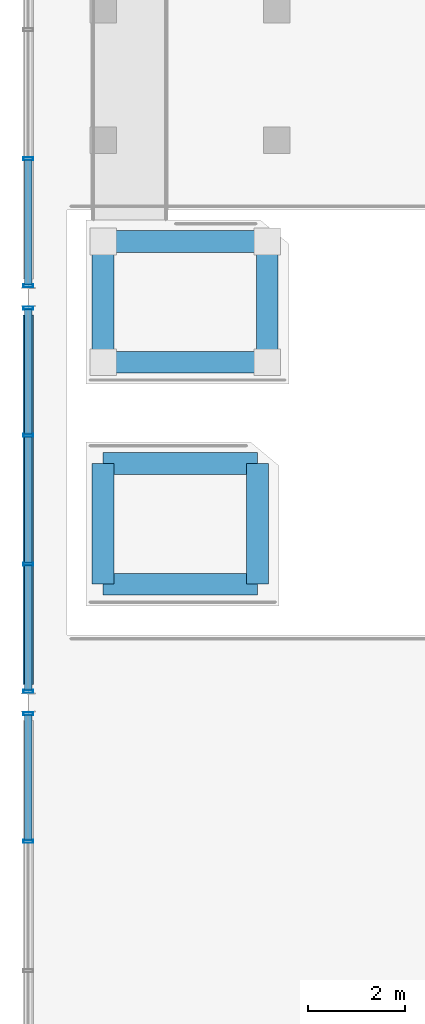
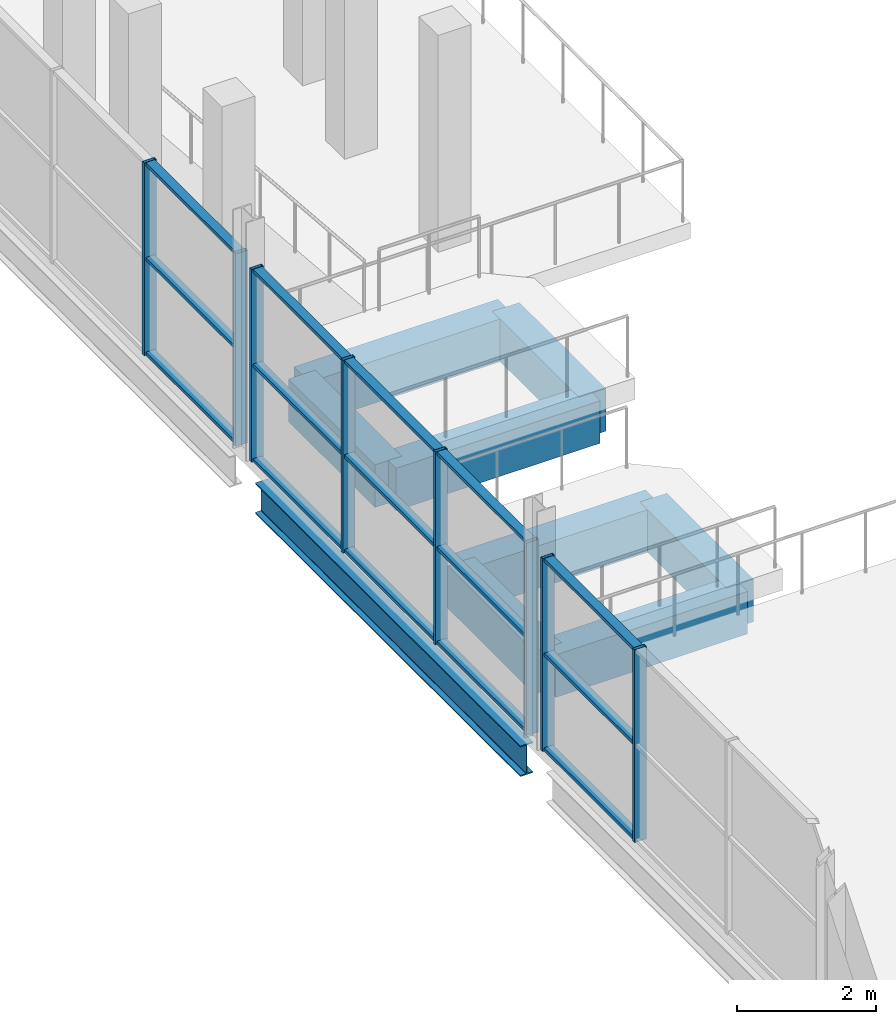
# One storey, part 28 of 161: 23 members, 9 beams, 3 elements without a shape of their own.
"""IFC4 building model written with IfcOpenShell, lengths in metres."""

from ifc_helpers import new_model, si_unit, direction, frame, origin, origin_2d, place, context, subcontext, project, spatial, rectangle, hollow_rectangle, i_section, extrude, material, material_profile, profile_set, type_object, element, aggregate, save


model = new_model("IFC4")

# Units and contexts
model_context = context("Model", 3, precision=1e-05, world=origin(), true_north=direction((0.0, 1.0)))
body_context = subcontext(model_context, "Body", "Model", "MODEL_VIEW")
ifc_project = project(units=[si_unit("LENGTHUNIT", "METRE"), si_unit("AREAUNIT", "SQUARE_METRE"), si_unit("VOLUMEUNIT", "CUBIC_METRE"), si_unit("PLANEANGLEUNIT", "RADIAN"), si_unit("MASSUNIT", "GRAM", prefix="KILO"), si_unit("THERMODYNAMICTEMPERATUREUNIT", "KELVIN")], contexts=[model_context])

# Site, building, storey
site_placement = place(None, origin())
site = spatial("IfcSite", under=ifc_project, at=site_placement, CompositionType="ELEMENT")
building_placement = place(site_placement, origin())
building = spatial("IfcBuilding", under=site, at=building_placement, Name="Nduvali Passage Aquatics Centre", CompositionType="ELEMENT")
storey_placement = place(building_placement, frame((0.0, 0.0, 4.800048828125)))
storey = spatial("IfcBuildingStorey", under=building, at=storey_placement, Name="L01", CompositionType="ELEMENT", Elevation=4.800048828125)

# Curtain wall, members
ifc_material_1 = material(Name="Aluminium EN AW-6063 T6", Category="aluminium")
curtain_wall_type = type_object("IfcCurtainWallType", Name="ENV-CW-DIVE", PredefinedType="NOTDEFINED", material=ifc_material_1)
curtain_wall_1_placement = place(storey_placement, origin())
curtain_wall_1 = element("IfcCurtainWall", 1, at=curtain_wall_1_placement, inside=storey, type_object=curtain_wall_type, Name="L01 West Diving Tower Viewing CW 128", PredefinedType="NOTDEFINED")
ifc_material_profile_1 = material_profile(ifc_material_1, hollow_rectangle(XDim=0.06005859375, YDim=0.199951171875, WallThickness=0.00390625, at=origin_2d()), Name="ALU MULLION 60x200x4")
ifc_profile_set_1 = profile_set([ifc_material_profile_1], Name="Aluminium EN AW-6063 T6")
member_type_1 = type_object("IfcMemberType", Name="ENV-MEM-MUL80", PredefinedType="MULLION", material=ifc_profile_set_1)
member_1_placement = place(storey_placement, frame((0.0, 47.523193359375, 0.0), z_axis=(0.0, 0.0, 1.0), x_axis=(0.0, 1.0, 0.0)))
member_1 = element("IfcMember", 2, at=member_1_placement, type_object=member_type_1, Name="West Diving Tower Viewing CW Mullion 3", PredefinedType="MULLION", context=body_context, shape_type="SweptSolid", body=[
    extrude(hollow_rectangle(XDim=0.06005859375, YDim=0.199951171875, WallThickness=0.00390625, at=origin_2d()), origin(), (0.0, 0.0, 1.0), 3.396484375),
])
member_2_placement = place(storey_placement, frame((0.0, 50.169921875, 0.0), z_axis=(0.0, 0.0, 1.0), x_axis=(0.0, 1.0, 0.0)))
member_2 = element("IfcMember", 3, at=member_2_placement, type_object=member_type_1, Name="West Diving Tower Viewing CW Mullion 4", PredefinedType="MULLION", context=body_context, shape_type="SweptSolid", body=[
    extrude(hollow_rectangle(XDim=0.06005859375, YDim=0.199951171875, WallThickness=0.00390625, at=origin_2d()), origin(), (0.0, 0.0, 1.0), 3.396484375),
])

curtain_wall_2_placement = place(storey_placement, origin())
curtain_wall_2 = element("IfcCurtainWall", 4, at=curtain_wall_2_placement, inside=storey, type_object=curtain_wall_type, Name="L01 West Diving Tower Viewing CW 133", PredefinedType="NOTDEFINED")
member_3_placement = place(storey_placement, frame((0.0, 50.6298828125, 0.0), z_axis=(0.0, 0.0, 1.0), x_axis=(0.0, 1.0, 0.0)))
member_3 = element("IfcMember", 5, at=member_3_placement, type_object=member_type_1, Name="West Diving Tower Viewing CW Mullion 1", PredefinedType="MULLION", context=body_context, shape_type="SweptSolid", body=[
    extrude(hollow_rectangle(XDim=0.06005859375, YDim=0.199951171875, WallThickness=0.00390625, at=origin_2d()), origin(), (0.0, 0.0, 1.0), 3.396484375),
])
member_4_placement = place(storey_placement, frame((0.0, 53.2666015625, 0.0), z_axis=(0.0, 0.0, 1.0), x_axis=(0.0, 1.0, 0.0)))
member_4 = element("IfcMember", 6, at=member_4_placement, type_object=member_type_1, Name="West Diving Tower Viewing CW Mullion 2", PredefinedType="MULLION", context=body_context, shape_type="SweptSolid", body=[
    extrude(hollow_rectangle(XDim=0.06005859375, YDim=0.199951171875, WallThickness=0.00390625, at=origin_2d()), origin(), (0.0, 0.0, 1.0), 3.396484375),
])
member_5_placement = place(storey_placement, frame((0.0, 55.933349609375, 0.0), z_axis=(0.0, 0.0, 1.0), x_axis=(0.0, 1.0, 0.0)))
member_5 = element("IfcMember", 7, at=member_5_placement, type_object=member_type_1, Name="West Diving Tower Viewing CW Mullion 3", PredefinedType="MULLION", context=body_context, shape_type="SweptSolid", body=[
    extrude(hollow_rectangle(XDim=0.06005859375, YDim=0.199951171875, WallThickness=0.00390625, at=origin_2d()), origin(), (0.0, 0.0, 1.0), 3.396484375),
])
member_6_placement = place(storey_placement, frame((0.0, 58.570068359375, 0.0), z_axis=(0.0, 0.0, 1.0), x_axis=(0.0, 1.0, 0.0)))
member_6 = element("IfcMember", 8, at=member_6_placement, type_object=member_type_1, Name="West Diving Tower Viewing CW Mullion 4", PredefinedType="MULLION", context=body_context, shape_type="SweptSolid", body=[
    extrude(hollow_rectangle(XDim=0.06005859375, YDim=0.199951171875, WallThickness=0.00390625, at=origin_2d()), origin(), (0.0, 0.0, 1.0), 3.396484375),
])

curtain_wall_3_placement = place(storey_placement, origin())
curtain_wall_3 = element("IfcCurtainWall", 9, at=curtain_wall_3_placement, inside=storey, type_object=curtain_wall_type, Name="L01 West Diving Tower Viewing CW 138", PredefinedType="NOTDEFINED")
member_7_placement = place(storey_placement, frame((0.0, 59.030029296875, 0.0), z_axis=(0.0, 0.0, 1.0), x_axis=(0.0, 1.0, 0.0)))
member_7 = element("IfcMember", 10, at=member_7_placement, type_object=member_type_1, Name="West Diving Tower Viewing CW Mullion 1", PredefinedType="MULLION", context=body_context, shape_type="SweptSolid", body=[
    extrude(hollow_rectangle(XDim=0.06005859375, YDim=0.199951171875, WallThickness=0.00390625, at=origin_2d()), origin(), (0.0, 0.0, 1.0), 3.396484375),
])
member_8_placement = place(storey_placement, frame((0.0, 61.666748046875, 0.0), z_axis=(0.0, 0.0, 1.0), x_axis=(0.0, 1.0, 0.0)))
member_8 = element("IfcMember", 11, at=member_8_placement, type_object=member_type_1, Name="West Diving Tower Viewing CW Mullion 2", PredefinedType="MULLION", context=body_context, shape_type="SweptSolid", body=[
    extrude(hollow_rectangle(XDim=0.06005859375, YDim=0.199951171875, WallThickness=0.00390625, at=origin_2d()), origin(), (0.0, 0.0, 1.0), 3.396484375),
])

# Member
ifc_material_profile_2 = material_profile(ifc_material_1, hollow_rectangle(XDim=0.14990234375, YDim=0.06005859375, WallThickness=0.00390625, at=origin_2d()), Name="ALU TRANSOM 150x60x4")
ifc_profile_set_2 = profile_set([ifc_material_profile_2], Name="Aluminium EN AW-6063 T6")
member_type_2 = type_object("IfcMemberType", Name="ENV-MEM-TRN80", PredefinedType="USERDEFINED", material=ifc_profile_set_2)
member_9_placement = place(storey_placement, frame((0.0, 47.55322265625, 0.030029296875), z_axis=(0.0, 1.0, 0.0), x_axis=(-1.0, 0.0, 0.0)))
member_9 = element("IfcMember", 12, at=member_9_placement, type_object=member_type_2, Name="West Diving Tower Viewing CW Transom B3-R0", ObjectType="TRANSOM", PredefinedType="USERDEFINED", context=body_context, shape_type="SweptSolid", body=[
    extrude(hollow_rectangle(XDim=0.14990234375, YDim=0.06005859375, WallThickness=0.00390625, at=origin_2d()), origin(), (0.0, 0.0, 1.0), 2.586669921875),
])

member_10_placement = place(storey_placement, frame((0.0, 47.55322265625, 1.6982421875), z_axis=(0.0, 1.0, 0.0), x_axis=(-1.0, 0.0, 0.0)))
member_10 = element("IfcMember", 13, at=member_10_placement, type_object=member_type_2, Name="West Diving Tower Viewing CW Transom B3-R1", ObjectType="TRANSOM", PredefinedType="USERDEFINED", context=body_context, shape_type="SweptSolid", body=[
    extrude(hollow_rectangle(XDim=0.14990234375, YDim=0.06005859375, WallThickness=0.00390625, at=origin_2d()), origin(), (0.0, 0.0, 1.0), 2.586669921875),
])

member_11_placement = place(storey_placement, frame((0.0, 47.55322265625, 3.366455078125), z_axis=(0.0, 1.0, 0.0), x_axis=(-1.0, 0.0, 0.0)))
member_11 = element("IfcMember", 14, at=member_11_placement, type_object=member_type_2, Name="West Diving Tower Viewing CW Transom B3-R2", ObjectType="TRANSOM", PredefinedType="USERDEFINED", context=body_context, shape_type="SweptSolid", body=[
    extrude(hollow_rectangle(XDim=0.14990234375, YDim=0.06005859375, WallThickness=0.00390625, at=origin_2d()), origin(), (0.0, 0.0, 1.0), 2.586669921875),
])

aggregate(curtain_wall_1, [member_1, member_2, member_9, member_10, member_11])

member_12_placement = place(storey_placement, frame((0.0, 50.659912109375, 0.030029296875), z_axis=(0.0, 1.0, 0.0), x_axis=(-1.0, 0.0, 0.0)))
member_12 = element("IfcMember", 15, at=member_12_placement, type_object=member_type_2, Name="West Diving Tower Viewing CW Transom B1-R0", ObjectType="TRANSOM", PredefinedType="USERDEFINED", context=body_context, shape_type="SweptSolid", body=[
    extrude(hollow_rectangle(XDim=0.14990234375, YDim=0.06005859375, WallThickness=0.00390625, at=origin_2d()), origin(), (0.0, 0.0, 1.0), 2.576904296875),
])

member_13_placement = place(storey_placement, frame((0.0, 50.659912109375, 1.6982421875), z_axis=(0.0, 1.0, 0.0), x_axis=(-1.0, 0.0, 0.0)))
member_13 = element("IfcMember", 16, at=member_13_placement, type_object=member_type_2, Name="West Diving Tower Viewing CW Transom B1-R1", ObjectType="TRANSOM", PredefinedType="USERDEFINED", context=body_context, shape_type="SweptSolid", body=[
    extrude(hollow_rectangle(XDim=0.14990234375, YDim=0.06005859375, WallThickness=0.00390625, at=origin_2d()), origin(), (0.0, 0.0, 1.0), 2.576904296875),
])

member_14_placement = place(storey_placement, frame((0.0, 50.659912109375, 3.366455078125), z_axis=(0.0, 1.0, 0.0), x_axis=(-1.0, 0.0, 0.0)))
member_14 = element("IfcMember", 17, at=member_14_placement, type_object=member_type_2, Name="West Diving Tower Viewing CW Transom B1-R2", ObjectType="TRANSOM", PredefinedType="USERDEFINED", context=body_context, shape_type="SweptSolid", body=[
    extrude(hollow_rectangle(XDim=0.14990234375, YDim=0.06005859375, WallThickness=0.00390625, at=origin_2d()), origin(), (0.0, 0.0, 1.0), 2.576904296875),
])

member_15_placement = place(storey_placement, frame((0.0, 53.296630859375, 0.030029296875), z_axis=(0.0, 1.0, 0.0), x_axis=(-1.0, 0.0, 0.0)))
member_15 = element("IfcMember", 18, at=member_15_placement, type_object=member_type_2, Name="West Diving Tower Viewing CW Transom B2-R0", ObjectType="TRANSOM", PredefinedType="USERDEFINED", context=body_context, shape_type="SweptSolid", body=[
    extrude(hollow_rectangle(XDim=0.14990234375, YDim=0.06005859375, WallThickness=0.00390625, at=origin_2d()), origin(), (0.0, 0.0, 1.0), 2.606689453125),
])

member_16_placement = place(storey_placement, frame((0.0, 53.296630859375, 1.6982421875), z_axis=(0.0, 1.0, 0.0), x_axis=(-1.0, 0.0, 0.0)))
member_16 = element("IfcMember", 19, at=member_16_placement, type_object=member_type_2, Name="West Diving Tower Viewing CW Transom B2-R1", ObjectType="TRANSOM", PredefinedType="USERDEFINED", context=body_context, shape_type="SweptSolid", body=[
    extrude(hollow_rectangle(XDim=0.14990234375, YDim=0.06005859375, WallThickness=0.00390625, at=origin_2d()), origin(), (0.0, 0.0, 1.0), 2.606689453125),
])

member_17_placement = place(storey_placement, frame((0.0, 53.296630859375, 3.366455078125), z_axis=(0.0, 1.0, 0.0), x_axis=(-1.0, 0.0, 0.0)))
member_17 = element("IfcMember", 20, at=member_17_placement, type_object=member_type_2, Name="West Diving Tower Viewing CW Transom B2-R2", ObjectType="TRANSOM", PredefinedType="USERDEFINED", context=body_context, shape_type="SweptSolid", body=[
    extrude(hollow_rectangle(XDim=0.14990234375, YDim=0.06005859375, WallThickness=0.00390625, at=origin_2d()), origin(), (0.0, 0.0, 1.0), 2.606689453125),
])

member_18_placement = place(storey_placement, frame((0.0, 55.96337890625, 0.030029296875), z_axis=(0.0, 1.0, 0.0), x_axis=(-1.0, 0.0, 0.0)))
member_18 = element("IfcMember", 21, at=member_18_placement, type_object=member_type_2, Name="West Diving Tower Viewing CW Transom B3-R0", ObjectType="TRANSOM", PredefinedType="USERDEFINED", context=body_context, shape_type="SweptSolid", body=[
    extrude(hollow_rectangle(XDim=0.14990234375, YDim=0.06005859375, WallThickness=0.00390625, at=origin_2d()), origin(), (0.0, 0.0, 1.0), 2.57666015625),
])

member_19_placement = place(storey_placement, frame((0.0, 55.96337890625, 1.6982421875), z_axis=(0.0, 1.0, 0.0), x_axis=(-1.0, 0.0, 0.0)))
member_19 = element("IfcMember", 22, at=member_19_placement, type_object=member_type_2, Name="West Diving Tower Viewing CW Transom B3-R1", ObjectType="TRANSOM", PredefinedType="USERDEFINED", context=body_context, shape_type="SweptSolid", body=[
    extrude(hollow_rectangle(XDim=0.14990234375, YDim=0.06005859375, WallThickness=0.00390625, at=origin_2d()), origin(), (0.0, 0.0, 1.0), 2.57666015625),
])

member_20_placement = place(storey_placement, frame((0.0, 55.96337890625, 3.366455078125), z_axis=(0.0, 1.0, 0.0), x_axis=(-1.0, 0.0, 0.0)))
member_20 = element("IfcMember", 23, at=member_20_placement, type_object=member_type_2, Name="West Diving Tower Viewing CW Transom B3-R2", ObjectType="TRANSOM", PredefinedType="USERDEFINED", context=body_context, shape_type="SweptSolid", body=[
    extrude(hollow_rectangle(XDim=0.14990234375, YDim=0.06005859375, WallThickness=0.00390625, at=origin_2d()), origin(), (0.0, 0.0, 1.0), 2.57666015625),
])

aggregate(curtain_wall_2, [member_3, member_4, member_5, member_6, member_12, member_13, member_14, member_15, member_16, member_17, member_18, member_19, member_20])

member_21_placement = place(storey_placement, frame((0.0, 59.06005859375, 0.030029296875), z_axis=(0.0, 1.0, 0.0), x_axis=(-1.0, 0.0, 0.0)))
member_21 = element("IfcMember", 24, at=member_21_placement, type_object=member_type_2, Name="West Diving Tower Viewing CW Transom B1-R0", ObjectType="TRANSOM", PredefinedType="USERDEFINED", context=body_context, shape_type="SweptSolid", body=[
    extrude(hollow_rectangle(XDim=0.14990234375, YDim=0.06005859375, WallThickness=0.00390625, at=origin_2d()), origin(), (0.0, 0.0, 1.0), 2.57666015625),
])

member_22_placement = place(storey_placement, frame((0.0, 59.06005859375, 1.6982421875), z_axis=(0.0, 1.0, 0.0), x_axis=(-1.0, 0.0, 0.0)))
member_22 = element("IfcMember", 25, at=member_22_placement, type_object=member_type_2, Name="West Diving Tower Viewing CW Transom B1-R1", ObjectType="TRANSOM", PredefinedType="USERDEFINED", context=body_context, shape_type="SweptSolid", body=[
    extrude(hollow_rectangle(XDim=0.14990234375, YDim=0.06005859375, WallThickness=0.00390625, at=origin_2d()), origin(), (0.0, 0.0, 1.0), 2.57666015625),
])

member_23_placement = place(storey_placement, frame((0.0, 59.06005859375, 3.366455078125), z_axis=(0.0, 1.0, 0.0), x_axis=(-1.0, 0.0, 0.0)))
member_23 = element("IfcMember", 26, at=member_23_placement, type_object=member_type_2, Name="West Diving Tower Viewing CW Transom B1-R2", ObjectType="TRANSOM", PredefinedType="USERDEFINED", context=body_context, shape_type="SweptSolid", body=[
    extrude(hollow_rectangle(XDim=0.14990234375, YDim=0.06005859375, WallThickness=0.00390625, at=origin_2d()), origin(), (0.0, 0.0, 1.0), 2.57666015625),
])

aggregate(curtain_wall_3, [member_7, member_8, member_21, member_22, member_23])

# Beams
ifc_material_2 = material(Name="Concrete C40/50", Category="concrete")
ifc_material_profile_3 = material_profile(ifc_material_2, rectangle(XDim=0.449951171875, YDim=0.75, at=origin_2d()), Name="RC 450x750")
ifc_profile_set_3 = profile_set([ifc_material_profile_3], Name="Concrete C40/50")
beam_type_1 = type_object("IfcBeamType", Name="STR-BM-RC4575", PredefinedType="BEAM", material=ifc_profile_set_3)
for number, where, z_axis, x_axis, name in (
    (27, (1.550048828125, 52.85009765625, -0.755126953125), (1.0, 0.0, 0.0), (0.0, 1.0, 0.0), "L01 Diving Platform 3M South Beam B3-1623"),
    (28, (1.550048828125, 55.35009765625, -0.755126953125), (1.0, 0.0, 0.0), (0.0, 1.0, 0.0), "L01 Diving Platform 3M North Beam B3-1624"),
):
    element("IfcBeam", number, at=place(storey_placement, frame(where, z_axis=z_axis, x_axis=x_axis)), inside=storey, type_object=beam_type_1, Name=name, PredefinedType="BEAM", context=body_context, shape_type="SweptSolid", body=[
        extrude(rectangle(XDim=0.449951171875, YDim=0.75, at=origin_2d()), origin(), (0.0, 0.0, 1.0), 3.199951171875),
    ])
for number, where, z_axis, x_axis, name in (
    (29, (1.550048828125, 52.85009765625, -0.755126953125), (0.0, 1.0, 0.0), (-1.0, 0.0, 0.0), "L01 Diving Platform 3M West Beam B3-1625"),
    (30, (4.75, 52.85009765625, -0.755126953125), (0.0, 1.0, 0.0), (-1.0, 0.0, 0.0), "L01 Diving Platform 3M East Beam B3-1626"),
):
    element("IfcBeam", number, at=place(storey_placement, frame(where, z_axis=z_axis, x_axis=x_axis)), inside=storey, type_object=beam_type_1, Name=name, PredefinedType="BEAM", context=body_context, shape_type="SweptSolid", body=[
        extrude(rectangle(XDim=0.449951171875, YDim=0.75, at=origin_2d()), origin(), (0.0, 0.0, 1.0), 2.5),
    ])
for number, where, z_axis, x_axis, name in (
    (31, (1.550048828125, 57.449951171875, -0.255126953125), (1.0, 0.0, 0.0), (0.0, 1.0, 0.0), "L01 Diving Platform 5M South Beam B3-1627"),
    (32, (1.550048828125, 59.949951171875, -0.255126953125), (1.0, 0.0, 0.0), (0.0, 1.0, 0.0), "L01 Diving Platform 5M North Beam B3-1628"),
):
    element("IfcBeam", number, at=place(storey_placement, frame(where, z_axis=z_axis, x_axis=x_axis)), inside=storey, type_object=beam_type_1, Name=name, PredefinedType="BEAM", context=body_context, shape_type="SweptSolid", body=[
        extrude(rectangle(XDim=0.449951171875, YDim=0.75, at=origin_2d()), origin(), (0.0, 0.0, 1.0), 3.39990234375),
    ])
for number, where, z_axis, x_axis, name in (
    (33, (1.550048828125, 57.449951171875, -0.255126953125), (0.0, 1.0, 0.0), (-1.0, 0.0, 0.0), "L01 Diving Platform 5M West Beam B3-1629"),
    (34, (4.949951171875, 57.449951171875, -0.255126953125), (0.0, 1.0, 0.0), (-1.0, 0.0, 0.0), "L01 Diving Platform 5M East Beam B3-1630"),
):
    element("IfcBeam", number, at=place(storey_placement, frame(where, z_axis=z_axis, x_axis=x_axis)), inside=storey, type_object=beam_type_1, Name=name, PredefinedType="BEAM", context=body_context, shape_type="SweptSolid", body=[
        extrude(rectangle(XDim=0.449951171875, YDim=0.75, at=origin_2d()), origin(), (0.0, 0.0, 1.0), 2.5),
    ])
ifc_material_3 = material(Name="Steel S355", Category="steel")
ifc_material_profile_4 = material_profile(ifc_material_3, i_section(OverallWidth=0.210693359375, OverallDepth=0.53955078125, WebThickness=0.01171875, FlangeThickness=0.018798828125, FilletRadius=0.0126953125, at=origin_2d()), Name="UKB 533x210x109")
ifc_profile_set_4 = profile_set([ifc_material_profile_4], Name="Steel S355")
beam_type_2 = type_object("IfcBeamType", Name="STR-BM-UKB533-EXT", PredefinedType="BEAM", material=ifc_profile_set_4)
beam_placement = place(storey_placement, frame((0.0, 50.77490234375, -0.553955078125), z_axis=(0.0, 1.0, 0.0), x_axis=(-1.0, 0.0, 0.0)))
element("IfcBeam", 35, at=beam_placement, inside=storey, type_object=beam_type_2, Name="L01 Primary Y-Girder B6E-0560", PredefinedType="BEAM", context=body_context, shape_type="SweptSolid", body=[
    extrude(i_section(OverallWidth=0.210693359375, OverallDepth=0.53955078125, WebThickness=0.01171875, FlangeThickness=0.018798828125, FilletRadius=0.0126953125, at=origin_2d()), origin(), (0.0, 0.0, 1.0), 7.650146484375),
])

save(model, "model.ifc")
